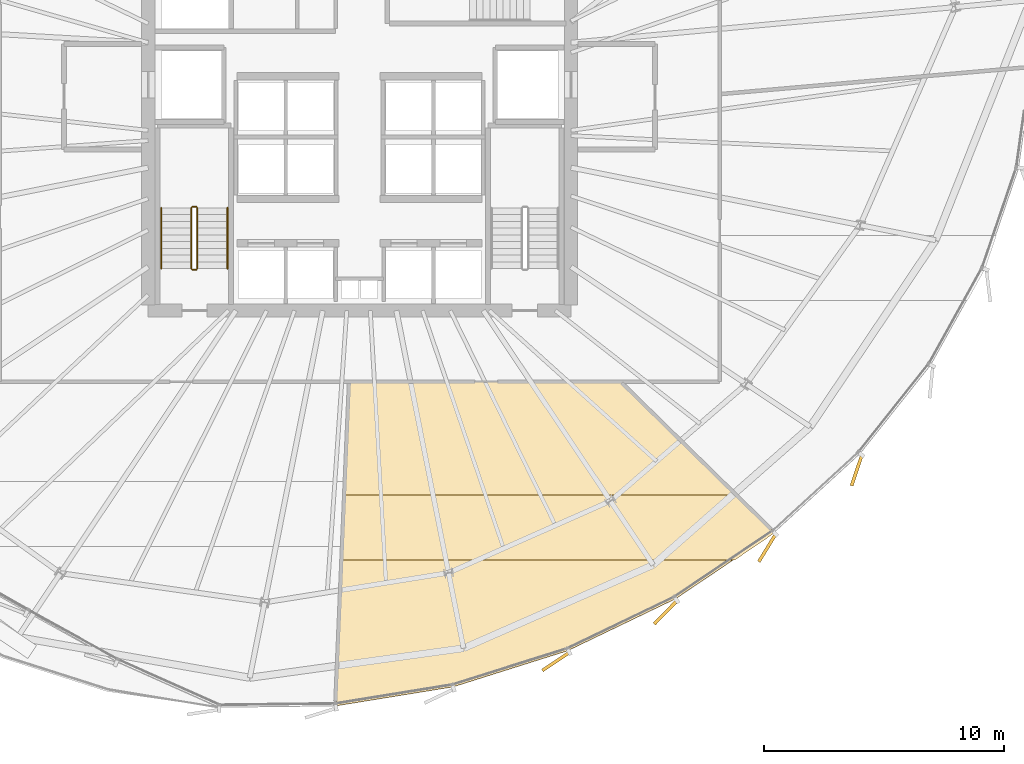
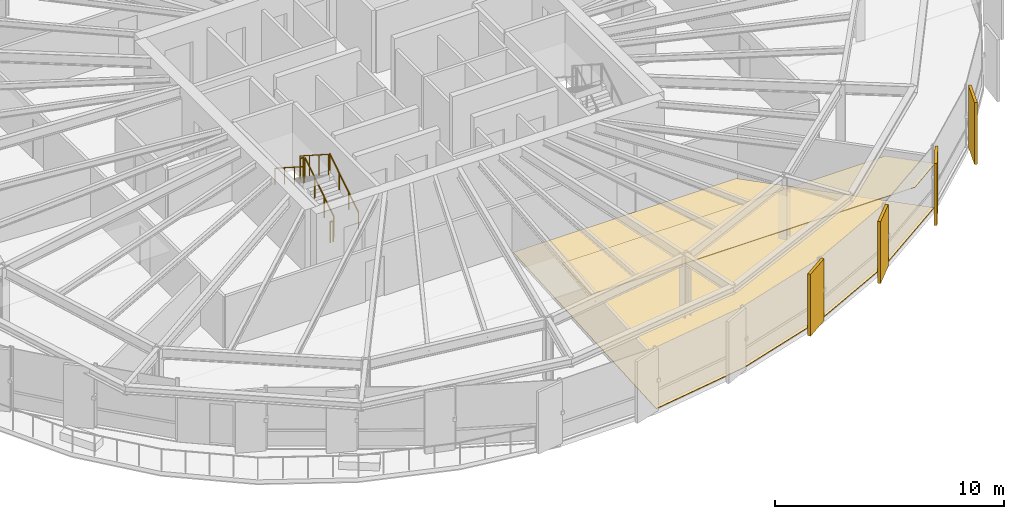
# One storey, part 33 of 35: 6 coverings, 6 railings.
"""IFC4 building model written with IfcOpenShell, lengths in metres."""

from ifc_helpers import new_model, si_unit, direction, frame, origin, origin_2d, place, context, subcontext, project, spatial, polyline, rectangle, circle, outline, extrude, source, transform, mapped, material, layer, layer_set, type_object, element, save


model = new_model("IFC4")

# Units and contexts
model_context = context("Model", 3, precision=1e-05, world=origin(), true_north=direction((0.0, 1.0)))
body_context = subcontext(model_context, "Body", "Model", "MODEL_VIEW")
ifc_project = project(units=[si_unit("LENGTHUNIT", "METRE"), si_unit("AREAUNIT", "SQUARE_METRE"), si_unit("VOLUMEUNIT", "CUBIC_METRE"), si_unit("PLANEANGLEUNIT", "RADIAN"), si_unit("MASSUNIT", "GRAM", prefix="KILO"), si_unit("THERMODYNAMICTEMPERATUREUNIT", "KELVIN")], contexts=[model_context])

# Site, building, storey
site_placement = place(None, origin())
site = spatial("IfcSite", under=ifc_project, at=site_placement, CompositionType="ELEMENT")
building_placement = place(site_placement, origin())
building = spatial("IfcBuilding", under=site, at=building_placement, Name="Kethvar Cultural Tower", CompositionType="ELEMENT")
storey_placement = place(building_placement, frame((0.0, 0.0, 121.60009765625)))
storey = spatial("IfcBuildingStorey", under=building, at=storey_placement, Name="L30", CompositionType="ELEMENT", Elevation=121.60009765625)

# Coverings
ifc_material_1 = material(Name="Acoustic Mineral Fibre Ceiling")
ifc_layer_1 = layer(ifc_material_1, 0.0400390625, Name="Acoustic Mineral Fibre Ceiling")
ifc_layer_set_1 = layer_set([ifc_layer_1], Name="Acoustic Mineral Fibre Ceiling (40 mm)")
covering_type_1 = type_object("IfcCoveringType", Name="CV-ACOUSTIC-CEIL", PredefinedType="CEILING", material=ifc_layer_set_1)
covering_1_placement = place(storey_placement, frame((0.0, 0.0, 2.33984375)))
element("IfcCovering", 1, at=covering_1_placement, inside=storey, type_object=covering_type_1, Name="L30 Room 02 Acoustic Ceiling Panel", PredefinedType="CEILING", context=body_context, shape_type="SweptSolid", body=[
    extrude(outline(polyline([(46.151611328125, 12.4296875), (62.49169921875, 12.4296875), (64.08837890625, 10.8525390625), (62.42138671875, 9.719482421875), (46.041015625, 9.719482421875), (46.151611328125, 12.4296875)])), origin(), (0.0, 0.0, 1.0), 0.0400390625),
])
ifc_material_2 = material(Name="Honed Warm Limestone", Category="masonry")
ifc_layer_2 = layer(ifc_material_2, 0.030029296875, Name="Honed Warm Limestone", Category="masonry")
ifc_layer_set_2 = layer_set([ifc_layer_2], Name="Honed Warm Limestone (30 mm)")
covering_type_2 = type_object("IfcCoveringType", Name="CV-STONE-FLOOR", PredefinedType="FLOORING", material=ifc_layer_set_2)
covering_2_placement = place(storey_placement, origin())
element("IfcCovering", 2, at=covering_2_placement, inside=storey, type_object=covering_type_2, Name="L30 Room 02 Floor Finish", PredefinedType="FLOORING", context=body_context, shape_type="SweptSolid", body=[
    extrude(outline(polyline([(59.95556640625, 8.10546875), (55.455078125, 5.939208984375), (50.69189453125, 4.4375), (45.8330078125, 3.649658203125), (46.383544921875, 17.1201171875), (57.65478515625, 17.1201171875), (64.037109375, 10.857177734375), (59.95556640625, 8.10546875)])), origin(), (0.0, 0.0, 1.0), 0.02978515625),
])

# Railings
ifc_material_3 = material(Name="Steel S355J2", Category="steel")
railing_type_1 = type_object("IfcRailingType", Name="RL-STAIR-GUARD", PredefinedType="BALUSTRADE", material=ifc_material_3)
railing_1_placement = place(storey_placement, frame((40.050048828125, 21.85009765625, 0.179931640625)))
element("IfcRailing", 3, at=railing_1_placement, inside=storey, type_object=railing_type_1, Name="L30 ST-01 stair guard 1", PredefinedType="BALUSTRADE", context=body_context, shape_type="SweptSolid", body=[
    extrude(circle(Radius=0.02392578125, at=origin_2d()), frame((0.0, 0.0, 1.09619140625), z_axis=(0.0, 0.841199657755, 0.540724639528), x_axis=(-1.0, 0.0, 0.0)), (0.0, 0.0, 1.0), 2.995849609375),
    extrude(circle(Radius=0.02099609375, at=origin_2d()), origin(), (0.0, 0.0, 1.0), 1.072021484375),
    extrude(circle(Radius=0.02099609375, at=origin_2d()), frame((0.0, 0.840087890625, 0.5400390625)), (0.0, 0.0, 1.0), 1.072021484375),
    extrude(circle(Radius=0.02099609375, at=origin_2d()), frame((0.0, 1.679931640625, 1.079833984375)), (0.0, 0.0, 1.0), 1.072021484375),
    extrude(circle(Radius=0.02099609375, at=origin_2d()), frame((0.0, 2.52001953125, 1.619873046875)), (0.0, 0.0, 1.0), 1.072021484375),
])
railing_2_placement = place(storey_placement, frame((40.0, 24.419921875, 1.7998046875)))
element("IfcRailing", 4, at=railing_2_placement, inside=storey, type_object=railing_type_1, Name="L30 ST-01 stair guard 2", PredefinedType="BALUSTRADE", context=body_context, shape_type="SweptSolid", body=[
    extrude(circle(Radius=0.02392578125, at=origin_2d()), frame((0.0, 0.0, 1.09619140625), z_axis=(-1.0, 0.0, 0.0), x_axis=(0.0, -1.0, 0.0)), (0.0, 0.0, 1.0), 0.159912109375),
    extrude(circle(Radius=0.02099609375, at=origin_2d()), origin(), (0.0, 0.0, 1.0), 1.072021484375),
    extrude(circle(Radius=0.02099609375, at=origin_2d()), frame((-0.159912109375, 0.0, 0.0)), (0.0, 0.0, 1.0), 1.072021484375),
])
railing_3_placement = place(storey_placement, frame((39.7900390625, 24.3701171875, 1.97998046875)))
element("IfcRailing", 5, at=railing_3_placement, inside=storey, type_object=railing_type_1, Name="L30 ST-01 stair guard 3", PredefinedType="BALUSTRADE", context=body_context, shape_type="SweptSolid", body=[
    extrude(circle(Radius=0.02392578125, at=origin_2d()), frame((0.0, 0.0, 1.09619140625), z_axis=(0.0, -0.841199657755, 0.540724639528), x_axis=(1.0, 0.0, 0.0)), (0.0, 0.0, 1.0), 2.995849609375),
    extrude(circle(Radius=0.02099609375, at=origin_2d()), origin(), (0.0, 0.0, 1.0), 1.072021484375),
    extrude(circle(Radius=0.02099609375, at=origin_2d()), frame((0.0, -0.840087890625, 0.5400390625)), (0.0, 0.0, 1.0), 1.072021484375),
    extrude(circle(Radius=0.02099609375, at=origin_2d()), frame((0.0, -1.679931640625, 1.079833984375)), (0.0, 0.0, 1.0), 1.072021484375),
    extrude(circle(Radius=0.02099609375, at=origin_2d()), frame((0.0, -2.52001953125, 1.619873046875)), (0.0, 0.0, 1.0), 1.072021484375),
])
railing_4_placement = place(storey_placement, frame((40.0, 21.800048828125, 0.0)))
element("IfcRailing", 6, at=railing_4_placement, inside=storey, type_object=railing_type_1, Name="L30 ST-01 stair guard 4", PredefinedType="BALUSTRADE", context=body_context, shape_type="SweptSolid", body=[
    extrude(circle(Radius=0.02392578125, at=origin_2d()), frame((0.0, 0.0, 1.09619140625), z_axis=(-1.0, 0.0, 0.0), x_axis=(0.0, -1.0, 0.0)), (0.0, 0.0, 1.0), 0.159912109375),
    extrude(circle(Radius=0.02099609375, at=origin_2d()), origin(), (0.0, 0.0, 1.0), 1.072021484375),
    extrude(circle(Radius=0.02099609375, at=origin_2d()), frame((-0.159912109375, 0.0, 0.0)), (0.0, 0.0, 1.0), 1.072021484375),
])
railing_type_2 = type_object("IfcRailingType", Name="RL-STAIR-HANDRAIL", PredefinedType="HANDRAIL", material=ifc_material_3)
railing_5_placement = place(storey_placement, frame((41.300048828125, 21.85009765625, 0.179931640625)))
element("IfcRailing", 7, at=railing_5_placement, inside=storey, type_object=railing_type_2, Name="L30 ST-01 stair handrail 1", PredefinedType="HANDRAIL", context=body_context, shape_type="SweptSolid", body=[
    extrude(circle(Radius=0.02392578125, at=origin_2d()), frame((0.0, 0.0, 0.8759765625), z_axis=(0.0, 0.841199657755, 0.540724639528), x_axis=(-1.0, 0.0, 0.0)), (0.0, 0.0, 1.0), 2.995849609375),
    extrude(circle(Radius=0.02099609375, at=origin_2d()), origin(), (0.0, 0.0, 1.0), 0.851806640625),
    extrude(circle(Radius=0.02099609375, at=origin_2d()), frame((0.0, 0.840087890625, 0.5400390625)), (0.0, 0.0, 1.0), 0.851806640625),
    extrude(circle(Radius=0.02099609375, at=origin_2d()), frame((0.0, 1.679931640625, 1.079833984375)), (0.0, 0.0, 1.0), 0.851806640625),
    extrude(circle(Radius=0.02099609375, at=origin_2d()), frame((0.0, 2.52001953125, 1.619873046875)), (0.0, 0.0, 1.0), 0.851806640625),
])
railing_6_placement = place(storey_placement, frame((38.5400390625, 24.3701171875, 1.97998046875)))
element("IfcRailing", 8, at=railing_6_placement, inside=storey, type_object=railing_type_2, Name="L30 ST-01 stair handrail 2", PredefinedType="HANDRAIL", context=body_context, shape_type="SweptSolid", body=[
    extrude(circle(Radius=0.02392578125, at=origin_2d()), frame((0.0, 0.0, 0.8759765625), z_axis=(0.0, -0.841199657755, 0.540724639528), x_axis=(1.0, 0.0, 0.0)), (0.0, 0.0, 1.0), 2.995849609375),
    extrude(circle(Radius=0.02099609375, at=origin_2d()), origin(), (0.0, 0.0, 1.0), 0.851806640625),
    extrude(circle(Radius=0.02099609375, at=origin_2d()), frame((0.0, -0.840087890625, 0.5400390625)), (0.0, 0.0, 1.0), 0.851806640625),
    extrude(circle(Radius=0.02099609375, at=origin_2d()), frame((0.0, -1.679931640625, 1.079833984375)), (0.0, 0.0, 1.0), 0.851806640625),
    extrude(circle(Radius=0.02099609375, at=origin_2d()), frame((0.0, -2.52001953125, 1.619873046875)), (0.0, 0.0, 1.0), 0.851806640625),
])

# Coverings
ifc_material_4 = material(Name="Extruded Architectural Terracotta", Category="masonry")
ifc_layer_3 = layer(ifc_material_4, 0.135009765625, Name="Extruded Architectural Terracotta", Category="masonry")
ifc_layer_set_3 = layer_set([ifc_layer_3], Name="Extruded Architectural Terracotta (135 mm)")
covering_type_3 = type_object("IfcCoveringType", Name="Terracotta Facade Fin FIN-02", PredefinedType="CLADDING", material=ifc_layer_set_3)
shared_shape = source(origin(), body_context, "Body", "SweptSolid", [
    extrude(rectangle(XDim=1.35009765625, YDim=0.135009765625, at=origin_2d()), origin(), (0.0, 0.0, 1.0), 3.31005859375),
])
for number, where, z_axis, x_axis, name in (
    (9, (54.970947265625, 5.49072265625, 0.019775390625), (0.0, 0.0, 1.0), (-0.831857270839, -0.554989622383, 0.0), "L30 Vertical Terracotta Fin 6.1"),
    (10, (59.5390625, 7.538330078125, 0.019775390625), (0.0, 0.0, 1.0), (-0.698040453872, -0.71605832497, 0.0), "L30 Vertical Terracotta Fin 6.2"),
    (11, (63.77001953125, 10.2197265625, 0.019775390625), (0.0, 0.0, 1.0), (-0.522498564716, -0.852640164354, 0.0), "L30 Vertical Terracotta Fin 6.3"),
    (12, (67.493896484375, 13.446044921875, 0.019775390625), (0.0, 0.0, 1.0), (-0.319124721232, -0.947712726673, 0.0), "L30 Vertical Terracotta Fin 6.4"),
):
    element("IfcCovering", number, at=place(storey_placement, frame(where, z_axis=z_axis, x_axis=x_axis)), inside=storey, type_object=covering_type_3, Name=name, PredefinedType="CLADDING", context=body_context, shape_type="MappedRepresentation", body=[
        mapped(shared_shape, transform((0.0, 0.0, 0.0), scale=1.0)),
    ])

save(model, "model.ifc")
